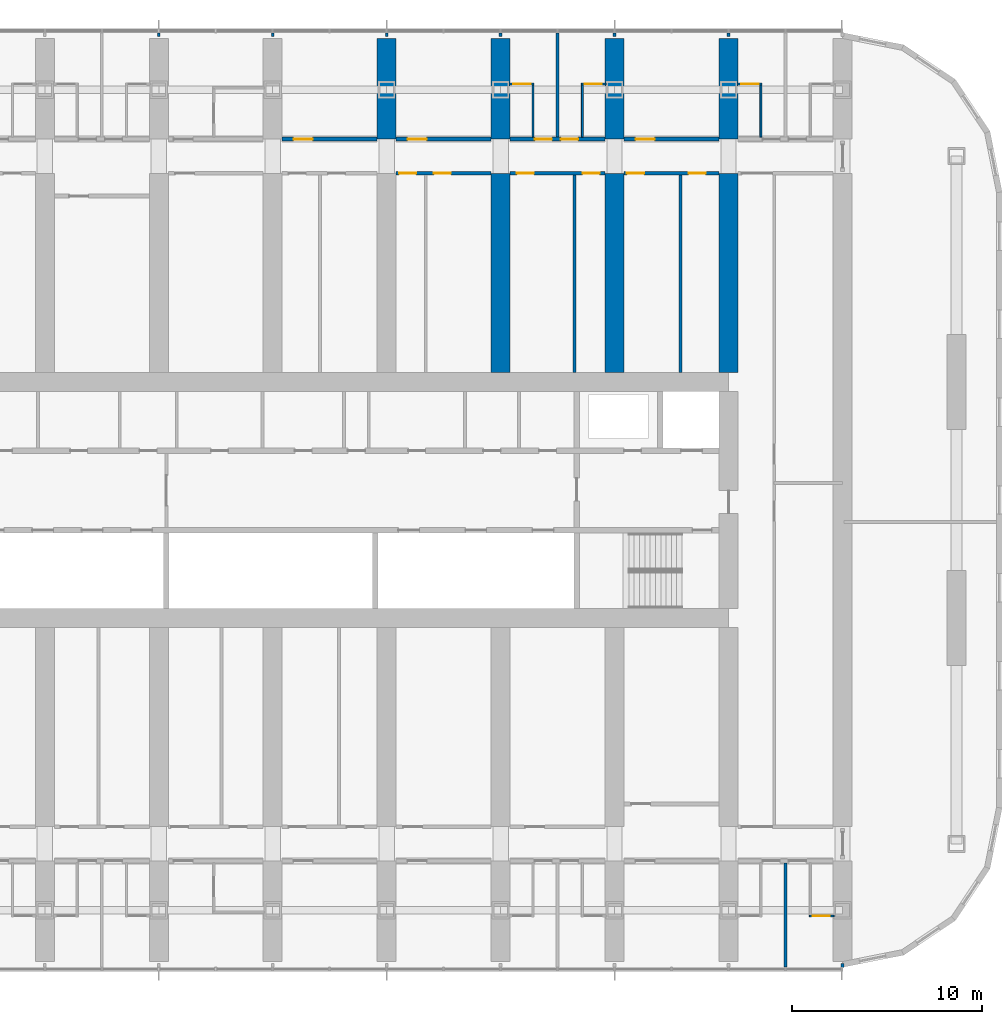
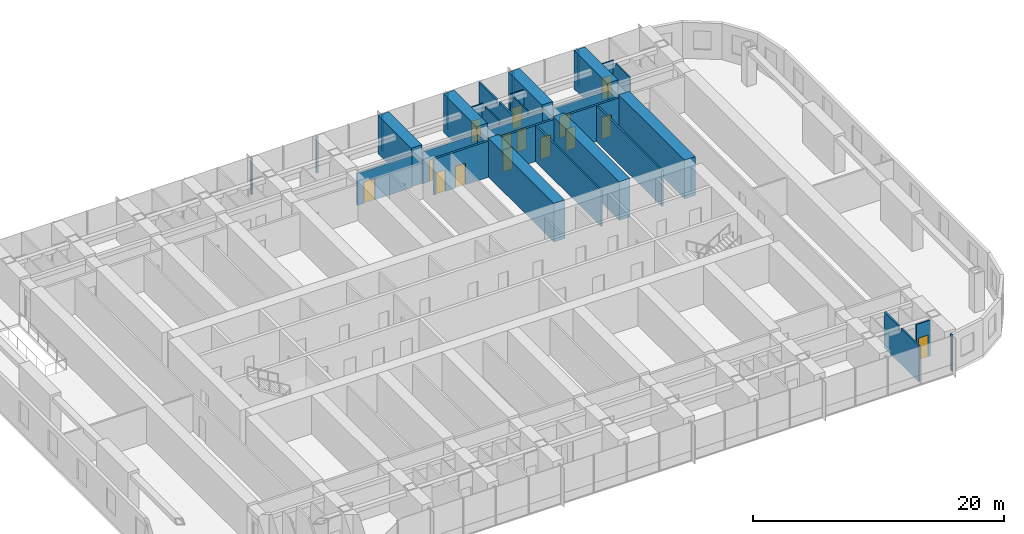
# One storey, part 16 of 23: 32 walls, 15 doors, 15 openings.
"""IFC4 building model written with IfcOpenShell, lengths in metres."""

import ifcopenshell
import ifcopenshell.guid

model = None  # the IFC model being written
_history = None  # IfcOwnerHistory: only IFC2X3 demands one
_inside = {}  # id of a spatial element -> (the spatial element, [elements in it])
_under = {}  # id of a project, library or spatial element -> (it, [spatial elements below it])
_declared = {}  # id of a project -> (the project, [libraries it declares])
_typed = {}  # id of a type object -> (the type object, [elements of that type])
_made_of = {}  # id of a material, layer set ... -> (it, [elements and type objects made of it])


def new_model(schema):
    """Start an empty IFC model of exactly this schema.

    Asked for "IFC4X3", IfcOpenShell would pick the latest addendum, in which some entities
    have other attributes; the version numbers below select the first issue.
    IFC2X3 requires an IfcOwnerHistory on every rooted entity: one is made here for all.
    """
    global model, _history
    if schema == "IFC4X3":
        model = ifcopenshell.file(schema_version=(4, 3, 0, 0))
    else:
        model = ifcopenshell.file(schema=schema)
    _inside.clear()
    _under.clear()
    _declared.clear()
    _typed.clear()
    _made_of.clear()
    _history = None
    if model.schema == "IFC2X3":
        org = make("IfcOrganization", Name="unknown")
        user = make(
            "IfcPersonAndOrganization",
            ThePerson=make("IfcPerson", FamilyName="unknown"),
            TheOrganization=org,
        )
        app = make(
            "IfcApplication",
            ApplicationDeveloper=org,
            Version="unknown",
            ApplicationFullName="unknown",
            ApplicationIdentifier="unknown",
        )
        _history = make(
            "IfcOwnerHistory",
            OwningUser=user,
            OwningApplication=app,
            ChangeAction="ADDED",
            CreationDate=0,
        )
    return model


def make(cls, **values):
    """One entity of the class cls with the attributes given. An attribute that is None is left unset."""
    return model.create_entity(
        cls, **{name: value for name, value in values.items() if value is not None}
    )


def rooted(cls, **values):
    """An entity with a GlobalId (a new one), such as an element, a storey or a relation."""
    return make(cls, GlobalId=ifcopenshell.guid.new(), OwnerHistory=_history, **values)


def si_unit(unit_type, name, prefix=None):
    """IfcSIUnit, for example si_unit("LENGTHUNIT", "METRE", prefix="MILLI")."""
    return make("IfcSIUnit", UnitType=unit_type, Prefix=prefix, Name=name)


def assignment(units):
    """IfcUnitAssignment: the units of a project."""
    return None if units is None else make("IfcUnitAssignment", Units=units)


def point(xyz):
    """IfcCartesianPoint."""
    return None if xyz is None else make("IfcCartesianPoint", Coordinates=xyz)


def direction(xyz):
    """IfcDirection."""
    return None if xyz is None else make("IfcDirection", DirectionRatios=xyz)


def frame(location, z_axis=None, x_axis=None):
    """IfcAxis2Placement3D, a coordinate frame: its origin and axes. An axis left out is left unset."""
    return make(
        "IfcAxis2Placement3D",
        Location=point(location),
        Axis=direction(z_axis),
        RefDirection=direction(x_axis),
    )


def frame_2d(location, x_axis=None):
    """IfcAxis2Placement2D, a coordinate frame in the plane: its origin and x axis."""
    return make(
        "IfcAxis2Placement2D", Location=point(location), RefDirection=direction(x_axis)
    )


def origin():
    """The frame at (0, 0, 0) with its axes left unset."""
    return frame((0.0, 0.0, 0.0))


def place(relative_to, where):
    """IfcLocalPlacement: puts the frame where relative to a parent placement (None: the world)."""
    return make(
        "IfcLocalPlacement", PlacementRelTo=relative_to, RelativePlacement=where
    )


def context(
    kind, dimensions, precision=None, world=None, true_north=None, identifier=None
):
    """IfcGeometricRepresentationContext, for example the 3D "Model" context."""
    return make(
        "IfcGeometricRepresentationContext",
        ContextIdentifier=identifier,
        ContextType=kind,
        CoordinateSpaceDimension=dimensions,
        Precision=precision,
        WorldCoordinateSystem=world,
        TrueNorth=true_north,
    )


def subcontext(parent, identifier, kind, view, scale=None):
    """IfcGeometricRepresentationSubContext, for example "Body" below "Model"."""
    return make(
        "IfcGeometricRepresentationSubContext",
        ContextIdentifier=identifier,
        ContextType=kind,
        ParentContext=parent,
        TargetScale=scale,
        TargetView=view,
    )


def project(units=None, contexts=None):
    """IfcProject with its units and contexts."""
    return rooted(
        "IfcProject",
        Name="project",
        RepresentationContexts=contexts,
        UnitsInContext=assignment(units),
    )


def spatial(cls, under=None, at=None, **own):
    """A site, building, storey or space (cls), placed at a placement, below another one or the project."""
    s = rooted(cls, ObjectPlacement=at, **own)
    if under is not None:
        _under.setdefault(under.id(), (under, []))[1].append(s)
    return s


def polyline(points):
    """IfcPolyline through the points."""
    return make("IfcPolyline", Points=[point(p) for p in points])


def profile(cls, at=None, kind="AREA", **sizes):
    """A parametric profile (cls). Its sizes go by their IFC names, for example OverallWidth=200.0."""
    return make(cls, ProfileType=kind, Position=at, **sizes)


def rectangle(**sizes):
    """IfcRectangleProfileDef."""
    return profile("IfcRectangleProfileDef", **sizes)


def outline(outer, holes=None, kind="AREA"):
    """IfcArbitraryClosedProfileDef: a profile drawn as a closed curve; with holes, ...WithVoids."""
    if holes is None:
        return make("IfcArbitraryClosedProfileDef", ProfileType=kind, OuterCurve=outer)
    return make(
        "IfcArbitraryProfileDefWithVoids",
        ProfileType=kind,
        OuterCurve=outer,
        InnerCurves=holes,
    )


def extrude(swept, where, along, depth):
    """IfcExtrudedAreaSolid: the profile swept, set in the frame where, extruded along a direction by depth."""
    return make(
        "IfcExtrudedAreaSolid",
        SweptArea=swept,
        Position=where,
        ExtrudedDirection=direction(along),
        Depth=depth,
    )


def shape(context_of_items, identifier, shape_type, items):
    """IfcShapeRepresentation: the items that make up one representation, for example the "Body"."""
    return make(
        "IfcShapeRepresentation",
        ContextOfItems=context_of_items,
        RepresentationIdentifier=identifier,
        RepresentationType=shape_type,
        Items=items,
    )


def material(Name=None, Category=None):
    """IfcMaterial."""
    return make("IfcMaterial", Name=Name, Category=Category)


def layer(
    of_material, thickness, ventilated=None, Name=None, Category=None, Priority=None
):
    """IfcMaterialLayer: one layer of a wall or slab, of a material (None: an air gap)."""
    return make(
        "IfcMaterialLayer",
        Material=of_material,
        LayerThickness=thickness,
        IsVentilated=ventilated,
        Name=Name,
        Category=Category,
        Priority=Priority,
    )


def layer_set(layers, Name=None):
    """IfcMaterialLayerSet."""
    return make("IfcMaterialLayerSet", MaterialLayers=layers, LayerSetName=Name)


def made_of(thing, what):
    """Note that an element or type object is made of a material, layer set ...; save() writes the relation."""
    if what is not None:
        _made_of.setdefault(what.id(), (what, []))[1].append(thing)
    return thing


def type_object(cls, material=None, **own):
    """A type object (cls), such as IfcWallType, which elements share."""
    return made_of(rooted(cls, **own), material)


def element(
    cls,
    number,
    at=None,
    inside=None,
    cuts=None,
    type_object=None,
    material=None,
    context=None,
    identifier="Body",
    shape_type=None,
    held_by="IfcProductDefinitionShape",
    body=None,
    shapes=None,
    **own,
):
    """One element of the class cls, such as IfcWall. Its Tag is "e" and its number.

    at: its placement. inside: the storey or other place that contains it. cuts: it is an
    opening in that element (IfcRelVoidsElement). A single representation is given by context,
    identifier, shape_type and body (its items); several are given by shapes. held_by: the class
    of the entity that holds the representations. save() writes the other relations.
    """
    e = rooted(cls, Tag="e%d" % number, ObjectPlacement=at, **own)
    if body is not None:
        shapes = [shape(context, identifier, shape_type, body)]
    if shapes is not None:
        e.Representation = make(held_by, Representations=shapes)
    if inside is not None:
        _inside.setdefault(inside.id(), (inside, []))[1].append(e)
    if cuts is not None:
        rooted(
            "IfcRelVoidsElement", RelatingBuildingElement=cuts, RelatedOpeningElement=e
        )
    if type_object is not None:
        _typed.setdefault(type_object.id(), (type_object, []))[1].append(e)
    return made_of(e, material)


def fill(opening, filler):
    """IfcRelFillsElement: the door or window that sits in an opening."""
    return rooted(
        "IfcRelFillsElement",
        RelatingOpeningElement=opening,
        RelatedBuildingElement=filler,
    )


def aggregate(whole, parts):
    """IfcRelAggregates: a whole, such as a stair, and the parts it consists of."""
    return rooted("IfcRelAggregates", RelatingObject=whole, RelatedObjects=parts)


def save(model, path):
    """Write the relations noted so far, then the file.

    IfcRelAggregates (storeys below a building ...), IfcRelContainedInSpatialStructure (elements
    in a storey), IfcRelDefinesByType, IfcRelAssociatesMaterial and IfcRelDeclares: one each for
    every whole, place, type object, material and project.
    """
    for whole, parts in _under.values():
        aggregate(whole, parts)
    for where, things in _inside.values():
        rooted(
            "IfcRelContainedInSpatialStructure",
            RelatedElements=things,
            RelatingStructure=where,
        )
    for kind, things in _typed.values():
        rooted("IfcRelDefinesByType", RelatedObjects=things, RelatingType=kind)
    for what, things in _made_of.values():
        rooted("IfcRelAssociatesMaterial", RelatedObjects=things, RelatingMaterial=what)
    for by, libraries in _declared.values():
        rooted("IfcRelDeclares", RelatingContext=by, RelatedDefinitions=libraries)
    model.write(path)


model = new_model("IFC4")

# Units and contexts
model_context = context("Model", 3, precision=1e-05, world=origin(), true_north=direction((0.0, 1.0)))
body_context = subcontext(model_context, "Body", "Model", "MODEL_VIEW")
ifc_project = project(units=[si_unit("LENGTHUNIT", "METRE"), si_unit("AREAUNIT", "SQUARE_METRE"), si_unit("VOLUMEUNIT", "CUBIC_METRE"), si_unit("PLANEANGLEUNIT", "RADIAN"), si_unit("MASSUNIT", "GRAM", prefix="KILO")], contexts=[model_context])

# Site, building, storey
site_placement = place(None, origin())
site = spatial("IfcSite", under=ifc_project, at=site_placement, CompositionType="ELEMENT")
building_placement = place(site_placement, origin())
building = spatial("IfcBuilding", under=site, at=building_placement, Name="Orbita Commons", CompositionType="ELEMENT")
storey_placement = place(building_placement, frame((0.0, 0.0, 42.699951171875)))
storey = spatial("IfcBuildingStorey", under=building, at=storey_placement, Name="L10", CompositionType="ELEMENT", Elevation=42.699951171875)

# Wall, opening, door
ifc_material_1 = material(Name="Concrete blockwork", Category="masonry")
ifc_layer_1 = layer(ifc_material_1, 0.199951171875)
ifc_layer_set_1 = layer_set([ifc_layer_1], Name="Concrete blockwork")
wall_type_1 = type_object("IfcWallType", Name="Corridor wall 200 blockwork", PredefinedType="SOLIDWALL", material=ifc_layer_set_1)
wall_1_placement = place(storey_placement, frame((42.5, 51.0, 0.0), z_axis=(0.0, 0.0, 1.0), x_axis=(1.0, 0.0, 0.0)))
wall_1 = element("IfcWall", 1, at=wall_1_placement, inside=storey, type_object=wall_type_1, Name="Corridor wall 200 blockwork L10", PredefinedType="SOLIDWALL", context=body_context, shape_type="SweptSolid", body=[
    extrude(outline(polyline([(0.0, 0.0), (5.0, 0.0), (5.0, 3.10009765625), (0.0, 3.10009765625), (0.0, 0.0)])), frame((0.0, 0.10009765625, 0.0), z_axis=(0.0, -1.0, 0.0), x_axis=(1.0, 0.0, 0.0)), (0.0, 0.0, 1.0), 0.199951171875),
])
opening_1_placement = place(wall_1_placement, frame((0.60009765625, 0.0, 0.0)))
opening_1 = element("IfcOpeningElement", 2, at=opening_1_placement, cuts=wall_1, Name="Opening D06", PredefinedType="OPENING", context=body_context, shape_type="SweptSolid", body=[
    extrude(rectangle(XDim=1.0, YDim=2.10009765625, at=frame_2d((0.5, 1.050048828125))), frame((0.0, 0.10986328125, 0.0), z_axis=(0.0, -1.0, 0.0), x_axis=(1.0, 0.0, 0.0)), (0.0, 0.0, 1.0), 0.219970703125),
])
ifc_material_2 = material(Name="Steel-faced fire door leaf", Category="steel")
door_type_1 = type_object("IfcDoorType", Name="Corridor door 20 min 1000x2100", OperationType="SINGLE_SWING_LEFT", PredefinedType="DOOR", material=ifc_material_2)
door_1_placement = place(opening_1_placement, origin())
door_1 = element("IfcDoor", 3, at=door_1_placement, inside=storey, type_object=door_type_1, Name="House common room L10-N10 door", OperationType="SINGLE_SWING_LEFT", OverallHeight=2.10009765625, OverallWidth=1.0, PredefinedType="DOOR", context=body_context, shape_type="SweptSolid", body=[
    extrude(rectangle(XDim=1.0, YDim=2.10009765625, at=frame_2d((0.5, 1.050048828125))), frame((0.0, 0.02490234375, 0.0), z_axis=(0.0, -1.0, 0.0), x_axis=(1.0, 0.0, 0.0)), (0.0, 0.0, 1.0), 0.050048828125),
])
fill(opening_1, door_1)

wall_2_placement = place(storey_placement, frame((48.5, 51.0, 0.0), z_axis=(0.0, 0.0, 1.0), x_axis=(1.0, 0.0, 0.0)))
wall_2 = element("IfcWall", 4, at=wall_2_placement, inside=storey, type_object=wall_type_1, Name="Corridor wall 200 blockwork L10", PredefinedType="SOLIDWALL", context=body_context, shape_type="SweptSolid", body=[
    extrude(outline(polyline([(0.0, 0.0), (5.0, 0.0), (5.0, 3.10009765625), (0.0, 3.10009765625), (0.0, 0.0)])), frame((0.0, 0.10009765625, 0.0), z_axis=(0.0, -1.0, 0.0), x_axis=(1.0, 0.0, 0.0)), (0.0, 0.0, 1.0), 0.199951171875),
])
opening_2_placement = place(wall_2_placement, frame((0.60009765625, 0.0, 0.0)))
opening_2 = element("IfcOpeningElement", 5, at=opening_2_placement, cuts=wall_2, Name="Opening D06", PredefinedType="OPENING", context=body_context, shape_type="SweptSolid", body=[
    extrude(rectangle(XDim=1.0, YDim=2.10009765625, at=frame_2d((0.5, 1.050048828125))), frame((0.0, 0.10986328125, 0.0), z_axis=(0.0, -1.0, 0.0), x_axis=(1.0, 0.0, 0.0)), (0.0, 0.0, 1.0), 0.219970703125),
])
door_2_placement = place(opening_2_placement, origin())
door_2 = element("IfcDoor", 6, at=door_2_placement, inside=storey, type_object=door_type_1, Name="House kitchen-diner L10-N12 door", OperationType="SINGLE_SWING_LEFT", OverallHeight=2.10009765625, OverallWidth=1.0, PredefinedType="DOOR", context=body_context, shape_type="SweptSolid", body=[
    extrude(rectangle(XDim=1.0, YDim=2.10009765625, at=frame_2d((0.5, 1.050048828125))), frame((0.0, 0.02490234375, 0.0), z_axis=(0.0, -1.0, 0.0), x_axis=(1.0, 0.0, 0.0)), (0.0, 0.0, 1.0), 0.050048828125),
])
fill(opening_2, door_2)

# Wall, openings, doors
wall_3_placement = place(storey_placement, frame((54.5, 51.0, 0.0), z_axis=(0.0, 0.0, 1.0), x_axis=(1.0, 0.0, 0.0)))
wall_3 = element("IfcWall", 7, at=wall_3_placement, inside=storey, type_object=wall_type_1, Name="Corridor wall 200 blockwork L10", PredefinedType="SOLIDWALL", context=body_context, shape_type="SweptSolid", body=[
    extrude(outline(polyline([(0.0, 0.0), (5.0, 0.0), (5.0, 3.10009765625), (0.0, 3.10009765625), (0.0, 0.0)])), frame((0.0, 0.10009765625, 0.0), z_axis=(0.0, -1.0, 0.0), x_axis=(1.0, 0.0, 0.0)), (0.0, 0.0, 1.0), 0.199951171875),
])
opening_3_placement = place(wall_3_placement, frame((1.300048828125, 0.0, 0.0)))
opening_3 = element("IfcOpeningElement", 8, at=opening_3_placement, cuts=wall_3, Name="Opening D11", PredefinedType="OPENING", context=body_context, shape_type="SweptSolid", body=[
    extrude(rectangle(XDim=0.89990234375, YDim=2.10009765625, at=frame_2d((0.449951171875, 1.050048828125))), frame((0.0, 0.10986328125, 0.0), z_axis=(0.0, -1.0, 0.0), x_axis=(1.0, 0.0, 0.0)), (0.0, 0.0, 1.0), 0.219970703125),
])
opening_4_placement = place(wall_3_placement, frame((2.675048828125, 0.0, 0.0)))
opening_4 = element("IfcOpeningElement", 9, at=opening_4_placement, cuts=wall_3, Name="Opening D11", PredefinedType="OPENING", context=body_context, shape_type="SweptSolid", body=[
    extrude(rectangle(XDim=0.89990234375, YDim=2.10009765625, at=frame_2d((0.449951171875, 1.050048828125))), frame((0.0, 0.10986328125, 0.0), z_axis=(0.0, -1.0, 0.0), x_axis=(1.0, 0.0, 0.0)), (0.0, 0.0, 1.0), 0.219970703125),
])
ifc_material_3 = material(Name="Steel-faced fire door leaf", Category="steel")
door_type_2 = type_object("IfcDoorType", Name="Corridor door 20 min 900x2100", OperationType="SINGLE_SWING_LEFT", PredefinedType="DOOR", material=ifc_material_3)
door_3_placement = place(opening_3_placement, origin())
door_3 = element("IfcDoor", 10, at=door_3_placement, inside=storey, type_object=door_type_2, Name="House bedroom L10-N14 door", OperationType="SINGLE_SWING_LEFT", OverallHeight=2.10009765625, OverallWidth=0.89990234375, PredefinedType="DOOR", context=body_context, shape_type="SweptSolid", body=[
    extrude(rectangle(XDim=0.89990234375, YDim=2.10009765625, at=frame_2d((0.449951171875, 1.050048828125))), frame((0.0, 0.02490234375, 0.0), z_axis=(0.0, -1.0, 0.0), x_axis=(1.0, 0.0, 0.0)), (0.0, 0.0, 1.0), 0.050048828125),
])
fill(opening_3, door_3)
door_4_placement = place(opening_4_placement, origin())
door_4 = element("IfcDoor", 11, at=door_4_placement, inside=storey, type_object=door_type_2, Name="House bedroom L10-N15 door", OperationType="SINGLE_SWING_LEFT", OverallHeight=2.10009765625, OverallWidth=0.89990234375, PredefinedType="DOOR", context=body_context, shape_type="SweptSolid", body=[
    extrude(rectangle(XDim=0.89990234375, YDim=2.10009765625, at=frame_2d((0.449951171875, 1.050048828125))), frame((0.0, 0.02490234375, 0.0), z_axis=(0.0, -1.0, 0.0), x_axis=(1.0, 0.0, 0.0)), (0.0, 0.0, 1.0), 0.050048828125),
])
fill(opening_4, door_4)

# Wall, opening, door
wall_4_placement = place(storey_placement, frame((60.5, 51.0, 0.0), z_axis=(0.0, 0.0, 1.0), x_axis=(1.0, 0.0, 0.0)))
wall_4 = element("IfcWall", 12, at=wall_4_placement, inside=storey, type_object=wall_type_1, Name="Corridor wall 200 blockwork L10", PredefinedType="SOLIDWALL", context=body_context, shape_type="SweptSolid", body=[
    extrude(outline(polyline([(0.0, 0.0), (5.0, 0.0), (5.0, 3.10009765625), (0.0, 3.10009765625), (0.0, 0.0)])), frame((0.0, 0.10009765625, 0.0), z_axis=(0.0, -1.0, 0.0), x_axis=(1.0, 0.0, 0.0)), (0.0, 0.0, 1.0), 0.199951171875),
])
opening_5_placement = place(wall_4_placement, frame((0.60009765625, 0.0, 0.0)))
opening_5 = element("IfcOpeningElement", 13, at=opening_5_placement, cuts=wall_4, Name="Opening D06", PredefinedType="OPENING", context=body_context, shape_type="SweptSolid", body=[
    extrude(rectangle(XDim=1.0, YDim=2.10009765625, at=frame_2d((0.5, 1.050048828125))), frame((0.0, 0.10986328125, 0.0), z_axis=(0.0, -1.0, 0.0), x_axis=(1.0, 0.0, 0.0)), (0.0, 0.0, 1.0), 0.219970703125),
])
door_5_placement = place(opening_5_placement, origin())
door_5 = element("IfcDoor", 14, at=door_5_placement, inside=storey, type_object=door_type_1, Name="House study room L10-N16 door", OperationType="SINGLE_SWING_LEFT", OverallHeight=2.10009765625, OverallWidth=1.0, PredefinedType="DOOR", context=body_context, shape_type="SweptSolid", body=[
    extrude(rectangle(XDim=1.0, YDim=2.10009765625, at=frame_2d((0.5, 1.050048828125))), frame((0.0, 0.02490234375, 0.0), z_axis=(0.0, -1.0, 0.0), x_axis=(1.0, 0.0, 0.0)), (0.0, 0.0, 1.0), 0.050048828125),
])
fill(opening_5, door_5)

# Wall, openings, doors
ifc_material_4 = material(Name="Hollow concrete block 200", Category="concrete")
ifc_layer_2 = layer(ifc_material_4, 0.199951171875)
ifc_layer_set_2 = layer_set([ifc_layer_2], Name="Hollow concrete block 200")
wall_type_2 = type_object("IfcWallType", Name="Corridor wall 200 hollow concrete block", PredefinedType="SOLIDWALL", material=ifc_layer_set_2)
wall_5_placement = place(storey_placement, frame((48.5, 49.199951171875, 0.0), z_axis=(0.0, 0.0, 1.0), x_axis=(1.0, 0.0, 0.0)))
wall_5 = element("IfcWall", 15, at=wall_5_placement, inside=storey, type_object=wall_type_2, Name="Corridor wall 200 hollow concrete block L10", PredefinedType="SOLIDWALL", context=body_context, shape_type="SweptSolid", body=[
    extrude(rectangle(XDim=5.0, YDim=0.199951171875, at=frame_2d((2.5, 0.0))), origin(), (0.0, 0.0, 1.0), 3.5),
])
opening_6_placement = place(wall_5_placement, frame((0.14990234375, 0.0, 0.0)))
opening_6 = element("IfcOpeningElement", 16, at=opening_6_placement, cuts=wall_5, Name="Opening D11", PredefinedType="OPENING", context=body_context, shape_type="SweptSolid", body=[
    extrude(rectangle(XDim=0.89990234375, YDim=2.10009765625, at=frame_2d((0.449951171875, 1.050048828125))), frame((0.0, 0.10986328125, 0.0), z_axis=(0.0, -1.0, 0.0), x_axis=(1.0, 0.0, 0.0)), (0.0, 0.0, 1.0), 0.219970703125),
])
opening_7_placement = place(wall_5_placement, frame((1.97998046875, 0.0, 0.0)))
opening_7 = element("IfcOpeningElement", 17, at=opening_7_placement, cuts=wall_5, Name="Opening D11", PredefinedType="OPENING", context=body_context, shape_type="SweptSolid", body=[
    extrude(rectangle(XDim=0.89990234375, YDim=2.10009765625, at=frame_2d((0.449951171875, 1.050048828125))), frame((0.0, 0.10986328125, 0.0), z_axis=(0.0, -1.0, 0.0), x_axis=(1.0, 0.0, 0.0)), (0.0, 0.0, 1.0), 0.219970703125),
])
door_6_placement = place(opening_6_placement, origin())
door_6 = element("IfcDoor", 18, at=door_6_placement, inside=storey, type_object=door_type_2, Name="Riser access cupboard L10-BDN48n door", OperationType="SINGLE_SWING_LEFT", OverallHeight=2.10009765625, OverallWidth=0.89990234375, PredefinedType="DOOR", context=body_context, shape_type="SweptSolid", body=[
    extrude(rectangle(XDim=0.89990234375, YDim=2.10009765625, at=frame_2d((0.449951171875, 1.050048828125))), frame((0.0, 0.02490234375, 0.0), z_axis=(0.0, -1.0, 0.0), x_axis=(1.0, 0.0, 0.0)), (0.0, 0.0, 1.0), 0.050048828125),
])
fill(opening_6, door_6)
door_7_placement = place(opening_7_placement, origin())
door_7 = element("IfcDoor", 19, at=door_7_placement, inside=storey, type_object=door_type_2, Name="House pantry L10-BDN48 door", OperationType="SINGLE_SWING_LEFT", OverallHeight=2.10009765625, OverallWidth=0.89990234375, PredefinedType="DOOR", context=body_context, shape_type="SweptSolid", body=[
    extrude(rectangle(XDim=0.89990234375, YDim=2.10009765625, at=frame_2d((0.449951171875, 1.050048828125))), frame((0.0, 0.02490234375, 0.0), z_axis=(0.0, -1.0, 0.0), x_axis=(1.0, 0.0, 0.0)), (0.0, 0.0, 1.0), 0.050048828125),
])
fill(opening_7, door_7)

wall_6_placement = place(storey_placement, frame((54.5, 49.199951171875, 0.0), z_axis=(0.0, 0.0, 1.0), x_axis=(1.0, 0.0, 0.0)))
wall_6 = element("IfcWall", 20, at=wall_6_placement, inside=storey, type_object=wall_type_2, Name="Corridor wall 200 hollow concrete block L10", PredefinedType="SOLIDWALL", context=body_context, shape_type="SweptSolid", body=[
    extrude(rectangle(XDim=5.0, YDim=0.199951171875, at=frame_2d((2.5, 0.0))), origin(), (0.0, 0.0, 1.0), 3.5),
])
opening_8_placement = place(wall_6_placement, frame((0.35009765625, 0.0, 0.0)))
opening_8 = element("IfcOpeningElement", 21, at=opening_8_placement, cuts=wall_6, Name="Opening D11", PredefinedType="OPENING", context=body_context, shape_type="SweptSolid", body=[
    extrude(rectangle(XDim=0.89990234375, YDim=2.10009765625, at=frame_2d((0.449951171875, 1.050048828125))), frame((0.0, 0.10986328125, 0.0), z_axis=(0.0, -1.0, 0.0), x_axis=(1.0, 0.0, 0.0)), (0.0, 0.0, 1.0), 0.219970703125),
])
opening_9_placement = place(wall_6_placement, frame((3.81005859375, 0.0, 0.0)))
opening_9 = element("IfcOpeningElement", 22, at=opening_9_placement, cuts=wall_6, Name="Opening D11", PredefinedType="OPENING", context=body_context, shape_type="SweptSolid", body=[
    extrude(rectangle(XDim=0.89990234375, YDim=2.10009765625, at=frame_2d((0.449951171875, 1.050048828125))), frame((0.0, 0.10986328125, 0.0), z_axis=(0.0, -1.0, 0.0), x_axis=(1.0, 0.0, 0.0)), (0.0, 0.0, 1.0), 0.219970703125),
])
door_8_placement = place(opening_8_placement, origin())
door_8 = element("IfcDoor", 23, at=door_8_placement, inside=storey, type_object=door_type_2, Name="Parcel and post room L10-BDN54 door", OperationType="SINGLE_SWING_LEFT", OverallHeight=2.10009765625, OverallWidth=0.89990234375, PredefinedType="DOOR", context=body_context, shape_type="SweptSolid", body=[
    extrude(rectangle(XDim=0.89990234375, YDim=2.10009765625, at=frame_2d((0.449951171875, 1.050048828125))), frame((0.0, 0.02490234375, 0.0), z_axis=(0.0, -1.0, 0.0), x_axis=(1.0, 0.0, 0.0)), (0.0, 0.0, 1.0), 0.050048828125),
])
fill(opening_8, door_8)
door_9_placement = place(opening_9_placement, origin())
door_9 = element("IfcDoor", 24, at=door_9_placement, inside=storey, type_object=door_type_2, Name="Water heater cupboard L10-BDN54n door", OperationType="SINGLE_SWING_LEFT", OverallHeight=2.10009765625, OverallWidth=0.89990234375, PredefinedType="DOOR", context=body_context, shape_type="SweptSolid", body=[
    extrude(rectangle(XDim=0.89990234375, YDim=2.10009765625, at=frame_2d((0.449951171875, 1.050048828125))), frame((0.0, 0.02490234375, 0.0), z_axis=(0.0, -1.0, 0.0), x_axis=(1.0, 0.0, 0.0)), (0.0, 0.0, 1.0), 0.050048828125),
])
fill(opening_9, door_9)

wall_7_placement = place(storey_placement, frame((60.5, 49.199951171875, 0.0), z_axis=(0.0, 0.0, 1.0), x_axis=(1.0, 0.0, 0.0)))
wall_7 = element("IfcWall", 25, at=wall_7_placement, inside=storey, type_object=wall_type_2, Name="Corridor wall 200 hollow concrete block L10", PredefinedType="SOLIDWALL", context=body_context, shape_type="SweptSolid", body=[
    extrude(rectangle(XDim=5.0, YDim=0.199951171875, at=frame_2d((2.5, 0.0))), origin(), (0.0, 0.0, 1.0), 3.5),
])
opening_10_placement = place(wall_7_placement, frame((0.14990234375, 0.0, 0.0)))
opening_10 = element("IfcOpeningElement", 26, at=opening_10_placement, cuts=wall_7, Name="Opening D11", PredefinedType="OPENING", context=body_context, shape_type="SweptSolid", body=[
    extrude(rectangle(XDim=0.89990234375, YDim=2.10009765625, at=frame_2d((0.449951171875, 1.050048828125))), frame((0.0, 0.10986328125, 0.0), z_axis=(0.0, -1.0, 0.0), x_axis=(1.0, 0.0, 0.0)), (0.0, 0.0, 1.0), 0.219970703125),
])
opening_11_placement = place(wall_7_placement, frame((3.39501953125, 0.0, 0.0)))
opening_11 = element("IfcOpeningElement", 27, at=opening_11_placement, cuts=wall_7, Name="Opening D11", PredefinedType="OPENING", context=body_context, shape_type="SweptSolid", body=[
    extrude(rectangle(XDim=0.89990234375, YDim=2.10009765625, at=frame_2d((0.449951171875, 1.050048828125))), frame((0.0, 0.10986328125, 0.0), z_axis=(0.0, -1.0, 0.0), x_axis=(1.0, 0.0, 0.0)), (0.0, 0.0, 1.0), 0.219970703125),
])
door_10_placement = place(opening_10_placement, origin())
door_10 = element("IfcDoor", 28, at=door_10_placement, inside=storey, type_object=door_type_2, Name="Cleaners store L10-BDN60 door", OperationType="SINGLE_SWING_LEFT", OverallHeight=2.10009765625, OverallWidth=0.89990234375, PredefinedType="DOOR", context=body_context, shape_type="SweptSolid", body=[
    extrude(rectangle(XDim=0.89990234375, YDim=2.10009765625, at=frame_2d((0.449951171875, 1.050048828125))), frame((0.0, 0.02490234375, 0.0), z_axis=(0.0, -1.0, 0.0), x_axis=(1.0, 0.0, 0.0)), (0.0, 0.0, 1.0), 0.050048828125),
])
fill(opening_10, door_10)
door_11_placement = place(opening_11_placement, origin())
door_11 = element("IfcDoor", 29, at=door_11_placement, inside=storey, type_object=door_type_2, Name="Battery and UPS room L10-BDN60n door", OperationType="SINGLE_SWING_LEFT", OverallHeight=2.10009765625, OverallWidth=0.89990234375, PredefinedType="DOOR", context=body_context, shape_type="SweptSolid", body=[
    extrude(rectangle(XDim=0.89990234375, YDim=2.10009765625, at=frame_2d((0.449951171875, 1.050048828125))), frame((0.0, 0.02490234375, 0.0), z_axis=(0.0, -1.0, 0.0), x_axis=(1.0, 0.0, 0.0)), (0.0, 0.0, 1.0), 0.050048828125),
])
fill(opening_11, door_11)

# Walls
ifc_material_5 = material(Name="Concrete C50/60", Category="concrete")
ifc_layer_3 = layer(ifc_material_5, 1.0)
ifc_layer_set_3 = layer_set([ifc_layer_3], Name="Concrete C50/60")
wall_type_3 = type_object("IfcWallType", Name="Cross wall 1000 C50/60", PredefinedType="SHEAR", material=ifc_layer_set_3)
for number, where, z_axis, x_axis, name in (
    (30, (48.0, 51.0, 0.0), (0.0, 0.0, 1.0), (0.0, 1.0, 0.0), "Cross wall 9 north outer L10"),
    (31, (54.0, 51.0, 0.0), (0.0, 0.0, 1.0), (0.0, 1.0, 0.0), "Cross wall 10 north outer L10"),
):
    element("IfcWall", number, at=place(storey_placement, frame(where, z_axis=z_axis, x_axis=x_axis)), inside=storey, type_object=wall_type_3, Name=name, PredefinedType="SHEAR", context=body_context, shape_type="SweptSolid", body=[
        extrude(rectangle(XDim=5.300048828125, YDim=1.0, at=frame_2d((2.64990234375, 0.0))), origin(), (0.0, 0.0, 1.0), 3.75),
    ])
wall_8_placement = place(storey_placement, frame((54.0, 38.699951171875, 0.0), z_axis=(0.0, 0.0, 1.0), x_axis=(0.0, 1.0, 0.0)))
element("IfcWall", 32, at=wall_8_placement, inside=storey, type_object=wall_type_3, Name="Cross wall 10 north inner L10", PredefinedType="SHEAR", context=body_context, shape_type="SweptSolid", body=[
    extrude(rectangle(XDim=10.5, YDim=1.0, at=frame_2d((5.25, 0.0))), origin(), (0.0, 0.0, 1.0), 3.75),
])
wall_9_placement = place(storey_placement, frame((60.0, 51.0, 0.0), z_axis=(0.0, 0.0, 1.0), x_axis=(0.0, 1.0, 0.0)))
element("IfcWall", 33, at=wall_9_placement, inside=storey, type_object=wall_type_3, Name="Cross wall 11 north outer L10", PredefinedType="SHEAR", context=body_context, shape_type="SweptSolid", body=[
    extrude(rectangle(XDim=5.300048828125, YDim=1.0, at=frame_2d((2.64990234375, 0.0))), origin(), (0.0, 0.0, 1.0), 3.75),
])
wall_10_placement = place(storey_placement, frame((60.0, 38.699951171875, 0.0), z_axis=(0.0, 0.0, 1.0), x_axis=(0.0, 1.0, 0.0)))
element("IfcWall", 34, at=wall_10_placement, inside=storey, type_object=wall_type_3, Name="Cross wall 11 north inner L10", PredefinedType="SHEAR", context=body_context, shape_type="SweptSolid", body=[
    extrude(rectangle(XDim=10.5, YDim=1.0, at=frame_2d((5.25, 0.0))), origin(), (0.0, 0.0, 1.0), 3.75),
])
wall_11_placement = place(storey_placement, frame((66.0, 51.0, 0.0), z_axis=(0.0, 0.0, 1.0), x_axis=(0.0, 1.0, 0.0)))
element("IfcWall", 35, at=wall_11_placement, inside=storey, type_object=wall_type_3, Name="Cross wall 12 north outer L10", PredefinedType="SHEAR", context=body_context, shape_type="SweptSolid", body=[
    extrude(rectangle(XDim=5.300048828125, YDim=1.0, at=frame_2d((2.64990234375, 0.0))), origin(), (0.0, 0.0, 1.0), 3.75),
])
wall_12_placement = place(storey_placement, frame((66.0, 38.699951171875, 0.0), z_axis=(0.0, 0.0, 1.0), x_axis=(0.0, 1.0, 0.0)))
element("IfcWall", 36, at=wall_12_placement, inside=storey, type_object=wall_type_3, Name="Cross wall 12 north inner L10", PredefinedType="SHEAR", context=body_context, shape_type="SweptSolid", body=[
    extrude(rectangle(XDim=10.5, YDim=1.0, at=frame_2d((5.25, 0.0))), origin(), (0.0, 0.0, 1.0), 3.75),
])

# Wall, opening, door
ifc_material_6 = material(Name="Moisture-resistant plasterboard on steel studs", Category="steel")
ifc_layer_4 = layer(ifc_material_6, 0.10009765625)
ifc_layer_set_4 = layer_set([ifc_layer_4], Name="Moisture-resistant plasterboard on steel studs")
wall_type_4 = type_object("IfcWallType", Name="En-suite partition 100", PredefinedType="PARTITIONING", material=ifc_layer_set_4)
wall_13_placement = place(storey_placement, frame((71.550048828125, 10.10009765625, 0.0), z_axis=(0.0, 0.0, 1.0), x_axis=(-1.0, 0.0, 0.0)))
wall_13 = element("IfcWall", 37, at=wall_13_placement, inside=storey, type_object=wall_type_4, Name="En-suite partition 100 L10", PredefinedType="PARTITIONING", context=body_context, shape_type="SweptSolid", body=[
    extrude(rectangle(XDim=1.300048828125, YDim=0.10009765625, at=frame_2d((0.64990234375, 0.0))), origin(), (0.0, 0.0, 1.0), 3.5),
])
opening_12_placement = place(wall_13_placement, frame((0.22509765625, 0.0, 0.0)))
opening_12 = element("IfcOpeningElement", 38, at=opening_12_placement, cuts=wall_13, Name="Opening D09", PredefinedType="OPENING", context=body_context, shape_type="SweptSolid", body=[
    extrude(rectangle(XDim=0.89990234375, YDim=2.10009765625, at=frame_2d((0.449951171875, 1.050048828125))), frame((0.0, 0.06005859375, 0.0), z_axis=(0.0, -1.0, 0.0), x_axis=(1.0, 0.0, 0.0)), (0.0, 0.0, 1.0), 0.1201171875),
])
ifc_material_7 = material(Name="Laminated timber door leaf", Category="wood")
door_type_3 = type_object("IfcDoorType", Name="En-suite door 900x2100", OperationType="SINGLE_SWING_RIGHT", PredefinedType="DOOR", material=ifc_material_7)
door_12_placement = place(opening_12_placement, origin())
door_12 = element("IfcDoor", 39, at=door_12_placement, inside=storey, type_object=door_type_3, Name="En-suite L10-S19 door", OperationType="SINGLE_SWING_RIGHT", OverallHeight=2.10009765625, OverallWidth=0.89990234375, PredefinedType="DOOR", context=body_context, shape_type="SweptSolid", body=[
    extrude(rectangle(XDim=0.89990234375, YDim=2.10009765625, at=frame_2d((0.449951171875, 1.050048828125))), frame((0.0, 0.02490234375, 0.0), z_axis=(0.0, -1.0, 0.0), x_axis=(1.0, 0.0, 0.0)), (0.0, 0.0, 1.0), 0.050048828125),
])
fill(opening_12, door_12)

wall_14_placement = place(storey_placement, frame((54.449951171875, 53.89990234375, 0.0), z_axis=(0.0, 0.0, 1.0), x_axis=(1.0, 0.0, 0.0)))
wall_14 = element("IfcWall", 40, at=wall_14_placement, inside=storey, type_object=wall_type_4, Name="En-suite partition 100 L10", PredefinedType="PARTITIONING", context=body_context, shape_type="SweptSolid", body=[
    extrude(rectangle(XDim=1.300048828125, YDim=0.10009765625, at=frame_2d((0.64990234375, 0.0))), origin(), (0.0, 0.0, 1.0), 3.5),
])
opening_13_placement = place(wall_14_placement, frame((0.22509765625, 0.0, 0.0)))
opening_13 = element("IfcOpeningElement", 41, at=opening_13_placement, cuts=wall_14, Name="Opening D09", PredefinedType="OPENING", context=body_context, shape_type="SweptSolid", body=[
    extrude(rectangle(XDim=0.89990234375, YDim=2.10009765625, at=frame_2d((0.449951171875, 1.050048828125))), frame((0.0, 0.06005859375, 0.0), z_axis=(0.0, -1.0, 0.0), x_axis=(1.0, 0.0, 0.0)), (0.0, 0.0, 1.0), 0.1201171875),
])
door_13_placement = place(opening_13_placement, origin())
door_13 = element("IfcDoor", 42, at=door_13_placement, inside=storey, type_object=door_type_3, Name="En-suite L10-N14 door", OperationType="SINGLE_SWING_RIGHT", OverallHeight=2.10009765625, OverallWidth=0.89990234375, PredefinedType="DOOR", context=body_context, shape_type="SweptSolid", body=[
    extrude(rectangle(XDim=0.89990234375, YDim=2.10009765625, at=frame_2d((0.449951171875, 1.050048828125))), frame((0.0, 0.02490234375, 0.0), z_axis=(0.0, -1.0, 0.0), x_axis=(1.0, 0.0, 0.0)), (0.0, 0.0, 1.0), 0.050048828125),
])
fill(opening_13, door_13)

# Wall
wall_15_placement = place(storey_placement, frame((55.699951171875, 53.85009765625, 0.0), z_axis=(0.0, 0.0, 1.0), x_axis=(0.0, -1.0, 0.0)))
element("IfcWall", 43, at=wall_15_placement, inside=storey, type_object=wall_type_4, Name="En-suite partition 100 L10", PredefinedType="PARTITIONING", context=body_context, shape_type="SweptSolid", body=[
    extrude(outline(polyline([(0.0, 0.0), (2.75, 0.0), (2.75, 3.10009765625), (2.701904296875, 3.10009765625), (2.699951171875, 3.5), (0.451904296875, 3.5), (0.449951171875, 3.10009765625), (0.0, 3.10009765625), (0.0, 0.0)])), frame((0.0, 0.050048828125, 0.0), z_axis=(0.0, -1.0, 0.0), x_axis=(1.0, 0.0, 0.0)), (0.0, 0.0, 1.0), 0.10009765625),
])

# Wall, opening, door
wall_16_placement = place(storey_placement, frame((58.25, 53.89990234375, 0.0), z_axis=(0.0, 0.0, 1.0), x_axis=(1.0, 0.0, 0.0)))
wall_16 = element("IfcWall", 44, at=wall_16_placement, inside=storey, type_object=wall_type_4, Name="En-suite partition 100 L10", PredefinedType="PARTITIONING", context=body_context, shape_type="SweptSolid", body=[
    extrude(rectangle(XDim=1.300048828125, YDim=0.10009765625, at=frame_2d((0.64990234375, 0.0))), origin(), (0.0, 0.0, 1.0), 3.5),
])
opening_14_placement = place(wall_16_placement, frame((0.175048828125, 0.0, 0.0)))
opening_14 = element("IfcOpeningElement", 45, at=opening_14_placement, cuts=wall_16, Name="Opening D09", PredefinedType="OPENING", context=body_context, shape_type="SweptSolid", body=[
    extrude(rectangle(XDim=0.89990234375, YDim=2.10009765625, at=frame_2d((0.449951171875, 1.050048828125))), frame((0.0, 0.06005859375, 0.0), z_axis=(0.0, -1.0, 0.0), x_axis=(1.0, 0.0, 0.0)), (0.0, 0.0, 1.0), 0.1201171875),
])
door_14_placement = place(opening_14_placement, origin())
door_14 = element("IfcDoor", 46, at=door_14_placement, inside=storey, type_object=door_type_3, Name="En-suite L10-N15 door", OperationType="SINGLE_SWING_RIGHT", OverallHeight=2.10009765625, OverallWidth=0.89990234375, PredefinedType="DOOR", context=body_context, shape_type="SweptSolid", body=[
    extrude(rectangle(XDim=0.89990234375, YDim=2.10009765625, at=frame_2d((0.449951171875, 1.050048828125))), frame((0.0, 0.02490234375, 0.0), z_axis=(0.0, -1.0, 0.0), x_axis=(1.0, 0.0, 0.0)), (0.0, 0.0, 1.0), 0.050048828125),
])
fill(opening_14, door_14)

# Wall
wall_17_placement = place(storey_placement, frame((58.300048828125, 53.85009765625, 0.0), z_axis=(0.0, 0.0, 1.0), x_axis=(0.0, -1.0, 0.0)))
element("IfcWall", 47, at=wall_17_placement, inside=storey, type_object=wall_type_4, Name="En-suite partition 100 L10", PredefinedType="PARTITIONING", context=body_context, shape_type="SweptSolid", body=[
    extrude(outline(polyline([(0.0, 0.0), (2.75, 0.0), (2.75, 3.10009765625), (2.701904296875, 3.10009765625), (2.699951171875, 3.5), (0.451904296875, 3.5), (0.449951171875, 3.10009765625), (0.0, 3.10009765625), (0.0, 0.0)])), frame((0.0, 0.050048828125, 0.0), z_axis=(0.0, -1.0, 0.0), x_axis=(1.0, 0.0, 0.0)), (0.0, 0.0, 1.0), 0.10009765625),
])

# Wall, opening, door
wall_18_placement = place(storey_placement, frame((66.449951171875, 53.89990234375, 0.0), z_axis=(0.0, 0.0, 1.0), x_axis=(1.0, 0.0, 0.0)))
wall_18 = element("IfcWall", 48, at=wall_18_placement, inside=storey, type_object=wall_type_4, Name="En-suite partition 100 L10", PredefinedType="PARTITIONING", context=body_context, shape_type="SweptSolid", body=[
    extrude(rectangle(XDim=1.300048828125, YDim=0.10009765625, at=frame_2d((0.64990234375, 0.0))), origin(), (0.0, 0.0, 1.0), 3.5),
])
opening_15_placement = place(wall_18_placement, frame((0.22509765625, 0.0, 0.0)))
opening_15 = element("IfcOpeningElement", 49, at=opening_15_placement, cuts=wall_18, Name="Opening D09", PredefinedType="OPENING", context=body_context, shape_type="SweptSolid", body=[
    extrude(rectangle(XDim=0.89990234375, YDim=2.10009765625, at=frame_2d((0.449951171875, 1.050048828125))), frame((0.0, 0.06005859375, 0.0), z_axis=(0.0, -1.0, 0.0), x_axis=(1.0, 0.0, 0.0)), (0.0, 0.0, 1.0), 0.1201171875),
])
door_15_placement = place(opening_15_placement, origin())
door_15 = element("IfcDoor", 50, at=door_15_placement, inside=storey, type_object=door_type_3, Name="En-suite L10-N18 door", OperationType="SINGLE_SWING_RIGHT", OverallHeight=2.10009765625, OverallWidth=0.89990234375, PredefinedType="DOOR", context=body_context, shape_type="SweptSolid", body=[
    extrude(rectangle(XDim=0.89990234375, YDim=2.10009765625, at=frame_2d((0.449951171875, 1.050048828125))), frame((0.0, 0.02490234375, 0.0), z_axis=(0.0, -1.0, 0.0), x_axis=(1.0, 0.0, 0.0)), (0.0, 0.0, 1.0), 0.050048828125),
])
fill(opening_15, door_15)

# Walls
wall_19_placement = place(storey_placement, frame((67.699951171875, 53.85009765625, 0.0), z_axis=(0.0, 0.0, 1.0), x_axis=(0.0, -1.0, 0.0)))
element("IfcWall", 51, at=wall_19_placement, inside=storey, type_object=wall_type_4, Name="En-suite partition 100 L10", PredefinedType="PARTITIONING", context=body_context, shape_type="SweptSolid", body=[
    extrude(outline(polyline([(0.0, 0.0), (2.75, 0.0), (2.75, 3.10009765625), (2.701904296875, 3.10009765625), (2.699951171875, 3.5), (0.451904296875, 3.5), (0.449951171875, 3.10009765625), (0.0, 3.10009765625), (0.0, 0.0)])), frame((0.0, 0.050048828125, 0.0), z_axis=(0.0, -1.0, 0.0), x_axis=(1.0, 0.0, 0.0)), (0.0, 0.0, 1.0), 0.10009765625),
])
ifc_material_8 = material(Name="Gypsum plasterboard on steel studs", Category="steel")
ifc_layer_5 = layer(ifc_material_8, 0.14990234375)
ifc_layer_set_5 = layer_set([ifc_layer_5], Name="Gypsum plasterboard on steel studs")
wall_type_5 = type_object("IfcWallType", Name="Partition 150 plasterboard", PredefinedType="PARTITIONING", material=ifc_layer_set_5)
for number, where, z_axis, x_axis, name in (
    (52, (57.885009765625, 38.699951171875, 0.0), (0.0, 0.0, 1.0), (0.0, 1.0, 0.0), "Partition 150 plasterboard L10"),
    (53, (63.469970703125, 38.699951171875, 0.0), (0.0, 0.0, 1.0), (0.0, 1.0, 0.0), "Partition 150 plasterboard L10"),
):
    element("IfcWall", number, at=place(storey_placement, frame(where, z_axis=z_axis, x_axis=x_axis)), inside=storey, type_object=wall_type_5, Name=name, PredefinedType="PARTITIONING", context=body_context, shape_type="SweptSolid", body=[
        extrude(rectangle(XDim=10.400146484375, YDim=0.14990234375, at=frame_2d((5.2001953125, 0.0))), origin(), (0.0, 0.0, 1.0), 3.5),
    ])
for number, where, z_axis, x_axis, name in (
    (54, (36.0, 56.39990234375, 0.0), (0.0, 0.0, 1.0), (0.0, 1.0, 0.0), "Partition 150 plasterboard L10"),
    (55, (42.0, 56.39990234375, 0.0), (0.0, 0.0, 1.0), (0.0, 1.0, 0.0), "Partition 150 plasterboard L10"),
    (56, (48.0, 56.39990234375, 0.0), (0.0, 0.0, 1.0), (0.0, 1.0, 0.0), "Partition 150 plasterboard L10"),
    (57, (54.0, 56.39990234375, 0.0), (0.0, 0.0, 1.0), (0.0, 1.0, 0.0), "Partition 150 plasterboard L10"),
    (58, (60.0, 56.39990234375, 0.0), (0.0, 0.0, 1.0), (0.0, 1.0, 0.0), "Partition 150 plasterboard L10"),
    (59, (66.0, 56.39990234375, 0.0), (0.0, 0.0, 1.0), (0.0, 1.0, 0.0), "Partition 150 plasterboard L10"),
):
    element("IfcWall", number, at=place(storey_placement, frame(where, z_axis=z_axis, x_axis=x_axis)), inside=storey, type_object=wall_type_5, Name=name, PredefinedType="PARTITIONING", context=body_context, shape_type="SweptSolid", body=[
        extrude(rectangle(XDim=0.190185546875, YDim=0.14990234375, at=frame_2d((0.09521484375, 0.0))), origin(), (0.0, 0.0, 1.0), 3.5),
    ])
wall_20_placement = place(storey_placement, frame((72.0, 7.60009765625, 0.0), z_axis=(0.0, 0.0, 1.0), x_axis=(0.0, -1.0, 0.0)))
element("IfcWall", 60, at=wall_20_placement, inside=storey, type_object=wall_type_5, Name="Partition 150 plasterboard L10", PredefinedType="PARTITIONING", context=body_context, shape_type="SweptSolid", body=[
    extrude(rectangle(XDim=0.22021484375, YDim=0.14990234375, at=frame_2d((0.110107421875, 0.0))), origin(), (0.0, 0.0, 1.0), 3.5),
])
ifc_material_9 = material(Name="Gypsum plasterboard on steel studs", Category="steel")
ifc_layer_6 = layer(ifc_material_9, 0.14990234375)
ifc_layer_set_6 = layer_set([ifc_layer_6], Name="Gypsum plasterboard on steel studs")
wall_type_6 = type_object("IfcWallType", Name="Party wall 150 plasterboard", PredefinedType="PARTITIONING", material=ifc_layer_set_6)
for number, where, z_axis, x_axis, name in (
    (61, (69.0, 7.409912109375, 0.0), (0.0, 0.0, 1.0), (0.0, 1.0, 0.0), "Party wall 150 plasterboard L10"),
    (62, (57.0, 56.590087890625, 0.0), (0.0, 0.0, 1.0), (0.0, -1.0, 0.0), "Party wall 150 plasterboard L10"),
):
    element("IfcWall", number, at=place(storey_placement, frame(where, z_axis=z_axis, x_axis=x_axis)), inside=storey, type_object=wall_type_6, Name=name, PredefinedType="PARTITIONING", context=body_context, shape_type="SweptSolid", body=[
        extrude(outline(polyline([(0.0, 0.0), (5.489990234375, 0.0), (5.489990234375, 3.10009765625), (5.44189453125, 3.10009765625), (5.43994140625, 3.5), (3.19189453125, 3.5), (3.18994140625, 3.10009765625), (2.7919921875, 3.10009765625), (2.7900390625, 3.5), (0.0, 3.5), (0.0, 0.0)])), frame((0.0, 0.074951171875, 0.0), z_axis=(0.0, -1.0, 0.0), x_axis=(1.0, 0.0, 0.0)), (0.0, 0.0, 1.0), 0.14990234375),
    ])

save(model, "model.ifc")
